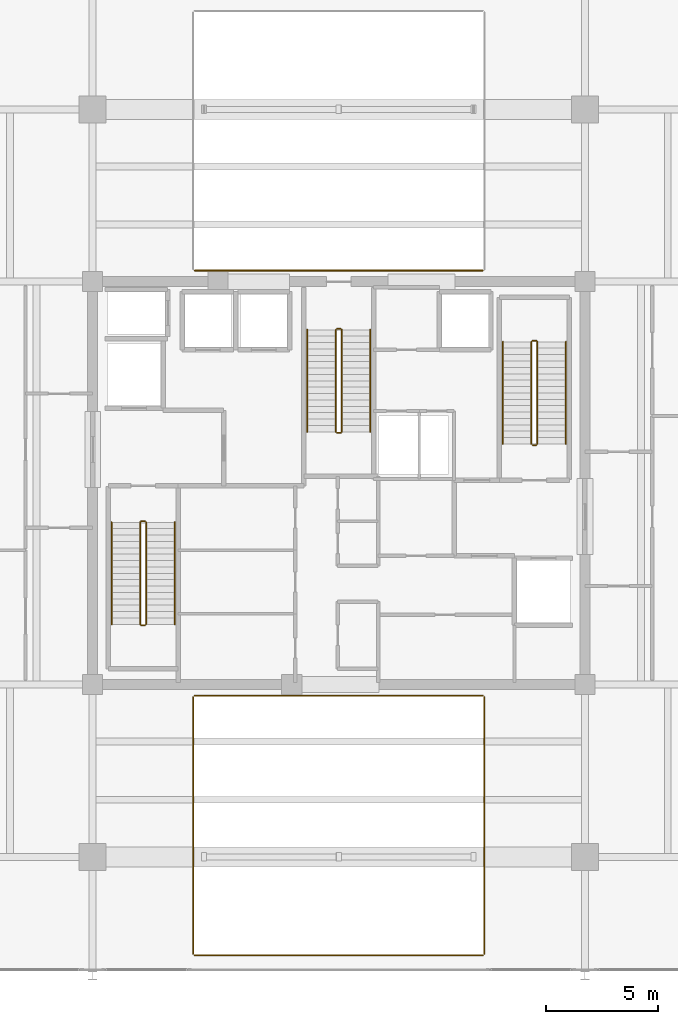
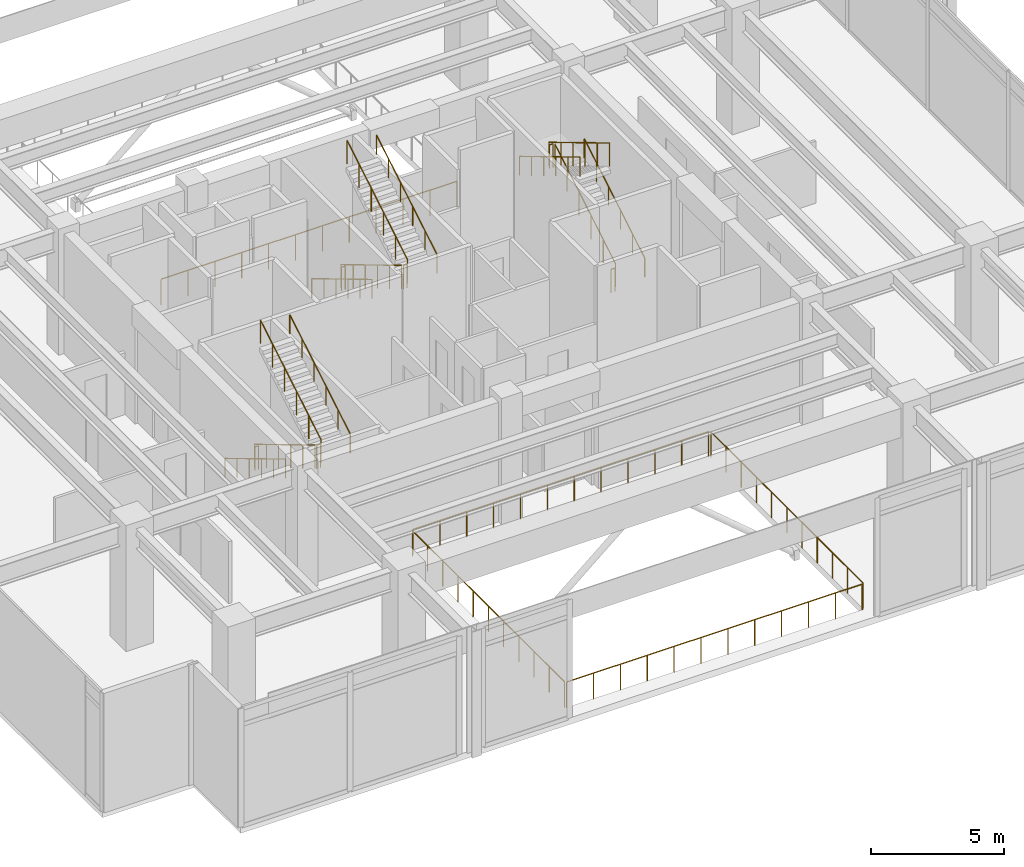
# One storey, part 24 of 25: 23 railings.
"""IFC4 building model written with IfcOpenShell, lengths in metres."""

from ifc_helpers import new_model, si_unit, direction, frame, origin, origin_2d, place, context, subcontext, project, spatial, circle, extrude, material, type_object, element, save


model = new_model("IFC4")

# Units and contexts
model_context = context("Model", 3, precision=1e-05, world=origin(), true_north=direction((0.0, 1.0)))
body_context = subcontext(model_context, "Body", "Model", "MODEL_VIEW")
ifc_project = project(units=[si_unit("LENGTHUNIT", "METRE"), si_unit("AREAUNIT", "SQUARE_METRE"), si_unit("VOLUMEUNIT", "CUBIC_METRE"), si_unit("PLANEANGLEUNIT", "RADIAN"), si_unit("MASSUNIT", "GRAM", prefix="KILO")], contexts=[model_context])

# Site, building, storey
site_placement = place(None, origin())
site = spatial("IfcSite", under=ifc_project, at=site_placement, CompositionType="ELEMENT")
building_placement = place(site_placement, origin())
building = spatial("IfcBuilding", under=site, at=building_placement, Name="Kovane Verandah Tower", CompositionType="ELEMENT")
storey_placement = place(building_placement, frame((0.0, 0.0, 295.199951171875)))
storey = spatial("IfcBuildingStorey", under=building, at=storey_placement, Name="L69", CompositionType="ELEMENT", Elevation=295.199951171875)

# Railings
ifc_material_1 = material(Name="Pale-Champagne Stainless Steel and Glass Perimeter Guard", Category="steel")
railing_type_1 = type_object("IfcRailingType", Name="RL-GDN-1200", PredefinedType="GUARDRAIL", material=ifc_material_1)
for number, where, name in (
    (1, (33.56005859375, 37.0, 0.0), "L69 Wind-Portal N Perimeter Guard S"),
    (2, (33.56005859375, 6.408447265625, 0.0), "L69 Wind-Portal S Perimeter Guard S"),
):
    element("IfcRailing", number, at=place(storey_placement, frame(where)), inside=storey, type_object=railing_type_1, Name=name, PredefinedType="GUARDRAIL", context=body_context, shape_type="SweptSolid", body=[
        extrude(circle(Radius=0.02392578125, at=origin_2d()), frame((0.0, 0.0, 1.17578125), z_axis=(1.0, 0.0, 0.0), x_axis=(0.0, 1.0, 0.0)), (0.0, 0.0, 1.0), 12.8798828125),
        extrude(circle(Radius=0.02099609375, at=origin_2d()), origin(), (0.0, 0.0, 1.0), 1.15185546875),
        extrude(circle(Radius=0.02099609375, at=origin_2d()), frame((1.1708984375, 0.0, 0.0)), (0.0, 0.0, 1.0), 1.15185546875),
        extrude(circle(Radius=0.02099609375, at=origin_2d()), frame((2.341796875, 0.0, 0.0)), (0.0, 0.0, 1.0), 1.15185546875),
        extrude(circle(Radius=0.02099609375, at=origin_2d()), frame((3.5126953125, 0.0, 0.0)), (0.0, 0.0, 1.0), 1.15185546875),
        extrude(circle(Radius=0.02099609375, at=origin_2d()), frame((4.68359375, 0.0, 0.0)), (0.0, 0.0, 1.0), 1.15185546875),
        extrude(circle(Radius=0.02099609375, at=origin_2d()), frame((5.8544921875, 0.0, 0.0)), (0.0, 0.0, 1.0), 1.15185546875),
        extrude(circle(Radius=0.02099609375, at=origin_2d()), frame((7.025390625, 0.0, 0.0)), (0.0, 0.0, 1.0), 1.15185546875),
        extrude(circle(Radius=0.02099609375, at=origin_2d()), frame((8.1962890625, 0.0, 0.0)), (0.0, 0.0, 1.0), 1.15185546875),
        extrude(circle(Radius=0.02099609375, at=origin_2d()), frame((9.3671875, 0.0, 0.0)), (0.0, 0.0, 1.0), 1.15185546875),
        extrude(circle(Radius=0.02099609375, at=origin_2d()), frame((10.5380859375, 0.0, 0.0)), (0.0, 0.0, 1.0), 1.15185546875),
        extrude(circle(Radius=0.02099609375, at=origin_2d()), frame((11.708984375, 0.0, 0.0)), (0.0, 0.0, 1.0), 1.15185546875),
        extrude(circle(Radius=0.02099609375, at=origin_2d()), frame((12.8798828125, 0.0, 0.0)), (0.0, 0.0, 1.0), 1.15185546875),
    ])
railing_1_placement = place(storey_placement, frame((46.5, 6.468505859375, 0.0)))
element("IfcRailing", 3, at=railing_1_placement, inside=storey, type_object=railing_type_1, Name="L69 Wind-Portal S Perimeter Guard E", PredefinedType="GUARDRAIL", context=body_context, shape_type="SweptSolid", body=[
    extrude(circle(Radius=0.02392578125, at=origin_2d()), frame((0.0, 0.0, 1.17578125), z_axis=(0.0, 1.0, 0.0), x_axis=(-1.0, 0.0, 0.0)), (0.0, 0.0, 1.0), 11.471435546875),
    extrude(circle(Radius=0.02099609375, at=origin_2d()), origin(), (0.0, 0.0, 1.0), 1.15185546875),
    extrude(circle(Radius=0.02099609375, at=origin_2d()), frame((0.0, 1.147216796875, 0.0)), (0.0, 0.0, 1.0), 1.15185546875),
    extrude(circle(Radius=0.02099609375, at=origin_2d()), frame((0.0, 2.294189453125, 0.0)), (0.0, 0.0, 1.0), 1.15185546875),
    extrude(circle(Radius=0.02099609375, at=origin_2d()), frame((0.0, 3.44140625, 0.0)), (0.0, 0.0, 1.0), 1.15185546875),
    extrude(circle(Radius=0.02099609375, at=origin_2d()), frame((0.0, 4.588623046875, 0.0)), (0.0, 0.0, 1.0), 1.15185546875),
    extrude(circle(Radius=0.02099609375, at=origin_2d()), frame((0.0, 5.73583984375, 0.0)), (0.0, 0.0, 1.0), 1.15185546875),
    extrude(circle(Radius=0.02099609375, at=origin_2d()), frame((0.0, 6.8828125, 0.0)), (0.0, 0.0, 1.0), 1.15185546875),
    extrude(circle(Radius=0.02099609375, at=origin_2d()), frame((0.0, 8.030029296875, 0.0)), (0.0, 0.0, 1.0), 1.15185546875),
    extrude(circle(Radius=0.02099609375, at=origin_2d()), frame((0.0, 9.17724609375, 0.0)), (0.0, 0.0, 1.0), 1.15185546875),
    extrude(circle(Radius=0.02099609375, at=origin_2d()), frame((0.0, 10.32421875, 0.0)), (0.0, 0.0, 1.0), 1.15185546875),
    extrude(circle(Radius=0.02099609375, at=origin_2d()), frame((0.0, 11.471435546875, 0.0)), (0.0, 0.0, 1.0), 1.15185546875),
])
railing_2_placement = place(storey_placement, frame((46.43994140625, 18.0, 0.0)))
element("IfcRailing", 4, at=railing_2_placement, inside=storey, type_object=railing_type_1, Name="L69 Wind-Portal S Perimeter Guard N", PredefinedType="GUARDRAIL", context=body_context, shape_type="SweptSolid", body=[
    extrude(circle(Radius=0.02392578125, at=origin_2d()), frame((0.0, 0.0, 1.17578125), z_axis=(-1.0, 0.0, 0.0), x_axis=(0.0, -1.0, 0.0)), (0.0, 0.0, 1.0), 12.8798828125),
    extrude(circle(Radius=0.02099609375, at=origin_2d()), origin(), (0.0, 0.0, 1.0), 1.15185546875),
    extrude(circle(Radius=0.02099609375, at=origin_2d()), frame((-1.1708984375, 0.0, 0.0)), (0.0, 0.0, 1.0), 1.15185546875),
    extrude(circle(Radius=0.02099609375, at=origin_2d()), frame((-2.341796875, 0.0, 0.0)), (0.0, 0.0, 1.0), 1.15185546875),
    extrude(circle(Radius=0.02099609375, at=origin_2d()), frame((-3.5126953125, 0.0, 0.0)), (0.0, 0.0, 1.0), 1.15185546875),
    extrude(circle(Radius=0.02099609375, at=origin_2d()), frame((-4.68359375, 0.0, 0.0)), (0.0, 0.0, 1.0), 1.15185546875),
    extrude(circle(Radius=0.02099609375, at=origin_2d()), frame((-5.8544921875, 0.0, 0.0)), (0.0, 0.0, 1.0), 1.15185546875),
    extrude(circle(Radius=0.02099609375, at=origin_2d()), frame((-7.025390625, 0.0, 0.0)), (0.0, 0.0, 1.0), 1.15185546875),
    extrude(circle(Radius=0.02099609375, at=origin_2d()), frame((-8.1962890625, 0.0, 0.0)), (0.0, 0.0, 1.0), 1.15185546875),
    extrude(circle(Radius=0.02099609375, at=origin_2d()), frame((-9.3671875, 0.0, 0.0)), (0.0, 0.0, 1.0), 1.15185546875),
    extrude(circle(Radius=0.02099609375, at=origin_2d()), frame((-10.5380859375, 0.0, 0.0)), (0.0, 0.0, 1.0), 1.15185546875),
    extrude(circle(Radius=0.02099609375, at=origin_2d()), frame((-11.708984375, 0.0, 0.0)), (0.0, 0.0, 1.0), 1.15185546875),
    extrude(circle(Radius=0.02099609375, at=origin_2d()), frame((-12.8798828125, 0.0, 0.0)), (0.0, 0.0, 1.0), 1.15185546875),
])
railing_3_placement = place(storey_placement, frame((33.5, 17.93994140625, 0.0)))
element("IfcRailing", 5, at=railing_3_placement, inside=storey, type_object=railing_type_1, Name="L69 Wind-Portal S Perimeter Guard W", PredefinedType="GUARDRAIL", context=body_context, shape_type="SweptSolid", body=[
    extrude(circle(Radius=0.02392578125, at=origin_2d()), frame((0.0, 0.0, 1.17578125), z_axis=(0.0, -1.0, 0.0), x_axis=(1.0, 0.0, 0.0)), (0.0, 0.0, 1.0), 11.471435546875),
    extrude(circle(Radius=0.02099609375, at=origin_2d()), origin(), (0.0, 0.0, 1.0), 1.15185546875),
    extrude(circle(Radius=0.02099609375, at=origin_2d()), frame((0.0, -1.147216796875, 0.0)), (0.0, 0.0, 1.0), 1.15185546875),
    extrude(circle(Radius=0.02099609375, at=origin_2d()), frame((0.0, -2.294189453125, 0.0)), (0.0, 0.0, 1.0), 1.15185546875),
    extrude(circle(Radius=0.02099609375, at=origin_2d()), frame((0.0, -3.44140625, 0.0)), (0.0, 0.0, 1.0), 1.15185546875),
    extrude(circle(Radius=0.02099609375, at=origin_2d()), frame((0.0, -4.588623046875, 0.0)), (0.0, 0.0, 1.0), 1.15185546875),
    extrude(circle(Radius=0.02099609375, at=origin_2d()), frame((0.0, -5.73583984375, 0.0)), (0.0, 0.0, 1.0), 1.15185546875),
    extrude(circle(Radius=0.02099609375, at=origin_2d()), frame((0.0, -6.8828125, 0.0)), (0.0, 0.0, 1.0), 1.15185546875),
    extrude(circle(Radius=0.02099609375, at=origin_2d()), frame((0.0, -8.030029296875, 0.0)), (0.0, 0.0, 1.0), 1.15185546875),
    extrude(circle(Radius=0.02099609375, at=origin_2d()), frame((0.0, -9.17724609375, 0.0)), (0.0, 0.0, 1.0), 1.15185546875),
    extrude(circle(Radius=0.02099609375, at=origin_2d()), frame((0.0, -10.32421875, 0.0)), (0.0, 0.0, 1.0), 1.15185546875),
    extrude(circle(Radius=0.02099609375, at=origin_2d()), frame((0.0, -11.471435546875, 0.0)), (0.0, 0.0, 1.0), 1.15185546875),
])
ifc_material_2 = material(Name="Brushed Stainless Steel Handrail", Category="steel")
railing_type_2 = type_object("IfcRailingType", Name="RL-HAND-920", PredefinedType="HANDRAIL", material=ifc_material_2)
railing_4_placement = place(storey_placement, frame((29.85009765625, 25.75, 0.170654296875)))
element("IfcRailing", 6, at=railing_4_placement, inside=storey, type_object=railing_type_2, Name="L69 ST-01 stair handrail 1", PredefinedType="HANDRAIL", context=body_context, shape_type="SweptSolid", body=[
    extrude(circle(Radius=0.02392578125, at=origin_2d()), frame((0.0, 0.0, 0.8759765625), z_axis=(0.0, -0.858035600736, 0.513590213954), x_axis=(1.0, 0.0, 0.0)), (0.0, 0.0, 1.0), 5.314453125),
    extrude(circle(Radius=0.02099609375, at=origin_2d()), origin(), (0.0, 0.0, 1.0), 0.851806640625),
    extrude(circle(Radius=0.02099609375, at=origin_2d()), frame((0.0, -0.912109375, 0.5458984375)), (0.0, 0.0, 1.0), 0.851806640625),
    extrude(circle(Radius=0.02099609375, at=origin_2d()), frame((0.0, -1.823974609375, 1.091796875)), (0.0, 0.0, 1.0), 0.851806640625),
    extrude(circle(Radius=0.02099609375, at=origin_2d()), frame((0.0, -2.736083984375, 1.6376953125)), (0.0, 0.0, 1.0), 0.851806640625),
    extrude(circle(Radius=0.02099609375, at=origin_2d()), frame((0.0, -3.64794921875, 2.18359375)), (0.0, 0.0, 1.0), 0.851806640625),
    extrude(circle(Radius=0.02099609375, at=origin_2d()), frame((0.0, -4.56005859375, 2.7294921875)), (0.0, 0.0, 1.0), 0.851806640625),
])
for number, where, name in (
    (7, (32.669921875, 21.18994140625, 3.070556640625), "L69 ST-01 stair handrail 2"),
    (8, (50.14990234375, 29.25, 0.170654296875), "L69 ST-02 stair handrail 1"),
):
    element("IfcRailing", number, at=place(storey_placement, frame(where)), inside=storey, type_object=railing_type_2, Name=name, PredefinedType="HANDRAIL", context=body_context, shape_type="SweptSolid", body=[
        extrude(circle(Radius=0.02392578125, at=origin_2d()), frame((0.0, 0.0, 0.8759765625), z_axis=(0.0, 0.858035600736, 0.513590213954), x_axis=(-1.0, 0.0, 0.0)), (0.0, 0.0, 1.0), 5.314453125),
        extrude(circle(Radius=0.02099609375, at=origin_2d()), origin(), (0.0, 0.0, 1.0), 0.851806640625),
        extrude(circle(Radius=0.02099609375, at=origin_2d()), frame((0.0, 0.912109375, 0.5458984375)), (0.0, 0.0, 1.0), 0.851806640625),
        extrude(circle(Radius=0.02099609375, at=origin_2d()), frame((0.0, 1.823974609375, 1.091796875)), (0.0, 0.0, 1.0), 0.851806640625),
        extrude(circle(Radius=0.02099609375, at=origin_2d()), frame((0.0, 2.736083984375, 1.6376953125)), (0.0, 0.0, 1.0), 0.851806640625),
        extrude(circle(Radius=0.02099609375, at=origin_2d()), frame((0.0, 3.64794921875, 2.18359375)), (0.0, 0.0, 1.0), 0.851806640625),
        extrude(circle(Radius=0.02099609375, at=origin_2d()), frame((0.0, 4.56005859375, 2.7294921875)), (0.0, 0.0, 1.0), 0.851806640625),
    ])
for number, where, name in (
    (9, (47.330078125, 33.81005859375, 3.070556640625), "L69 ST-02 stair handrail 2"),
    (10, (38.590087890625, 34.35009765625, 0.170654296875), "L69 ST-03 stair handrail 1"),
):
    element("IfcRailing", number, at=place(storey_placement, frame(where)), inside=storey, type_object=railing_type_2, Name=name, PredefinedType="HANDRAIL", context=body_context, shape_type="SweptSolid", body=[
        extrude(circle(Radius=0.02392578125, at=origin_2d()), frame((0.0, 0.0, 0.8759765625), z_axis=(0.0, -0.858035600736, 0.513590213954), x_axis=(1.0, 0.0, 0.0)), (0.0, 0.0, 1.0), 5.314453125),
        extrude(circle(Radius=0.02099609375, at=origin_2d()), origin(), (0.0, 0.0, 1.0), 0.851806640625),
        extrude(circle(Radius=0.02099609375, at=origin_2d()), frame((0.0, -0.912109375, 0.5458984375)), (0.0, 0.0, 1.0), 0.851806640625),
        extrude(circle(Radius=0.02099609375, at=origin_2d()), frame((0.0, -1.823974609375, 1.091796875)), (0.0, 0.0, 1.0), 0.851806640625),
        extrude(circle(Radius=0.02099609375, at=origin_2d()), frame((0.0, -2.736083984375, 1.6376953125)), (0.0, 0.0, 1.0), 0.851806640625),
        extrude(circle(Radius=0.02099609375, at=origin_2d()), frame((0.0, -3.64794921875, 2.18359375)), (0.0, 0.0, 1.0), 0.851806640625),
        extrude(circle(Radius=0.02099609375, at=origin_2d()), frame((0.0, -4.56005859375, 2.7294921875)), (0.0, 0.0, 1.0), 0.851806640625),
    ])
railing_5_placement = place(storey_placement, frame((41.409912109375, 29.7900390625, 3.070556640625)))
element("IfcRailing", 11, at=railing_5_placement, inside=storey, type_object=railing_type_2, Name="L69 ST-03 stair handrail 2", PredefinedType="HANDRAIL", context=body_context, shape_type="SweptSolid", body=[
    extrude(circle(Radius=0.02392578125, at=origin_2d()), frame((0.0, 0.0, 0.8759765625), z_axis=(0.0, 0.858035600736, 0.513590213954), x_axis=(-1.0, 0.0, 0.0)), (0.0, 0.0, 1.0), 5.314453125),
    extrude(circle(Radius=0.02099609375, at=origin_2d()), origin(), (0.0, 0.0, 1.0), 0.851806640625),
    extrude(circle(Radius=0.02099609375, at=origin_2d()), frame((0.0, 0.912109375, 0.5458984375)), (0.0, 0.0, 1.0), 0.851806640625),
    extrude(circle(Radius=0.02099609375, at=origin_2d()), frame((0.0, 1.823974609375, 1.091796875)), (0.0, 0.0, 1.0), 0.851806640625),
    extrude(circle(Radius=0.02099609375, at=origin_2d()), frame((0.0, 2.736083984375, 1.6376953125)), (0.0, 0.0, 1.0), 0.851806640625),
    extrude(circle(Radius=0.02099609375, at=origin_2d()), frame((0.0, 3.64794921875, 2.18359375)), (0.0, 0.0, 1.0), 0.851806640625),
    extrude(circle(Radius=0.02099609375, at=origin_2d()), frame((0.0, 4.56005859375, 2.7294921875)), (0.0, 0.0, 1.0), 0.851806640625),
])
ifc_material_3 = material(Name="Painted Steel Stairwell Guardrail", Category="steel")
railing_type_3 = type_object("IfcRailingType", Name="RL-STGUARD-1120", PredefinedType="GUARDRAIL", material=ifc_material_3)
railing_6_placement = place(storey_placement, frame((31.1298828125, 25.75, 0.170654296875)))
element("IfcRailing", 12, at=railing_6_placement, inside=storey, type_object=railing_type_3, Name="L69 ST-01 stair guard 1", PredefinedType="GUARDRAIL", context=body_context, shape_type="SweptSolid", body=[
    extrude(circle(Radius=0.02392578125, at=origin_2d()), frame((0.0, 0.0, 1.076171875), z_axis=(0.0, -0.858035600736, 0.513590213954), x_axis=(1.0, 0.0, 0.0)), (0.0, 0.0, 1.0), 5.314453125),
    extrude(circle(Radius=0.02099609375, at=origin_2d()), origin(), (0.0, 0.0, 1.0), 1.052001953125),
    extrude(circle(Radius=0.02099609375, at=origin_2d()), frame((0.0, -0.912109375, 0.5458984375)), (0.0, 0.0, 1.0), 1.052001953125),
    extrude(circle(Radius=0.02099609375, at=origin_2d()), frame((0.0, -1.823974609375, 1.091796875)), (0.0, 0.0, 1.0), 1.052001953125),
    extrude(circle(Radius=0.02099609375, at=origin_2d()), frame((0.0, -2.736083984375, 1.6376953125)), (0.0, 0.0, 1.0), 1.052001953125),
    extrude(circle(Radius=0.02099609375, at=origin_2d()), frame((0.0, -3.64794921875, 2.18359375)), (0.0, 0.0, 1.0), 1.052001953125),
    extrude(circle(Radius=0.02099609375, at=origin_2d()), frame((0.0, -4.56005859375, 2.7294921875)), (0.0, 0.0, 1.0), 1.052001953125),
])
railing_7_placement = place(storey_placement, frame((31.179931640625, 21.139892578125, 2.900146484375)))
element("IfcRailing", 13, at=railing_7_placement, inside=storey, type_object=railing_type_3, Name="L69 ST-01 stair guard 2", PredefinedType="GUARDRAIL", context=body_context, shape_type="SweptSolid", body=[
    extrude(circle(Radius=0.02392578125, at=origin_2d()), frame((0.0, 0.0, 1.076171875), z_axis=(1.0, 0.0, 0.0), x_axis=(0.0, 1.0, 0.0)), (0.0, 0.0, 1.0), 0.16015625),
    extrude(circle(Radius=0.02099609375, at=origin_2d()), origin(), (0.0, 0.0, 1.0), 1.052001953125),
    extrude(circle(Radius=0.02099609375, at=origin_2d()), frame((0.16015625, 0.0, 0.0)), (0.0, 0.0, 1.0), 1.052001953125),
])
railing_8_placement = place(storey_placement, frame((31.389892578125, 21.18994140625, 3.070556640625)))
element("IfcRailing", 14, at=railing_8_placement, inside=storey, type_object=railing_type_3, Name="L69 ST-01 stair guard 3", PredefinedType="GUARDRAIL", context=body_context, shape_type="SweptSolid", body=[
    extrude(circle(Radius=0.02392578125, at=origin_2d()), frame((0.0, 0.0, 1.076171875), z_axis=(0.0, 0.858035600736, 0.513590213954), x_axis=(-1.0, 0.0, 0.0)), (0.0, 0.0, 1.0), 5.314453125),
    extrude(circle(Radius=0.02099609375, at=origin_2d()), origin(), (0.0, 0.0, 1.0), 1.052001953125),
    extrude(circle(Radius=0.02099609375, at=origin_2d()), frame((0.0, 0.912109375, 0.5458984375)), (0.0, 0.0, 1.0), 1.052001953125),
    extrude(circle(Radius=0.02099609375, at=origin_2d()), frame((0.0, 1.823974609375, 1.091796875)), (0.0, 0.0, 1.0), 1.052001953125),
    extrude(circle(Radius=0.02099609375, at=origin_2d()), frame((0.0, 2.736083984375, 1.6376953125)), (0.0, 0.0, 1.0), 1.052001953125),
    extrude(circle(Radius=0.02099609375, at=origin_2d()), frame((0.0, 3.64794921875, 2.18359375)), (0.0, 0.0, 1.0), 1.052001953125),
    extrude(circle(Radius=0.02099609375, at=origin_2d()), frame((0.0, 4.56005859375, 2.7294921875)), (0.0, 0.0, 1.0), 1.052001953125),
])
railing_9_placement = place(storey_placement, frame((31.179931640625, 25.800048828125, 0.0)))
element("IfcRailing", 15, at=railing_9_placement, inside=storey, type_object=railing_type_3, Name="L69 ST-01 stair guard 4", PredefinedType="GUARDRAIL", context=body_context, shape_type="SweptSolid", body=[
    extrude(circle(Radius=0.02392578125, at=origin_2d()), frame((0.0, 0.0, 1.076171875), z_axis=(1.0, 0.0, 0.0), x_axis=(0.0, 1.0, 0.0)), (0.0, 0.0, 1.0), 0.16015625),
    extrude(circle(Radius=0.02099609375, at=origin_2d()), origin(), (0.0, 0.0, 1.0), 1.052001953125),
    extrude(circle(Radius=0.02099609375, at=origin_2d()), frame((0.16015625, 0.0, 0.0)), (0.0, 0.0, 1.0), 1.052001953125),
])
railing_10_placement = place(storey_placement, frame((48.8701171875, 29.25, 0.170654296875)))
element("IfcRailing", 16, at=railing_10_placement, inside=storey, type_object=railing_type_3, Name="L69 ST-02 stair guard 1", PredefinedType="GUARDRAIL", context=body_context, shape_type="SweptSolid", body=[
    extrude(circle(Radius=0.02392578125, at=origin_2d()), frame((0.0, 0.0, 1.076171875), z_axis=(0.0, 0.858035600736, 0.513590213954), x_axis=(-1.0, 0.0, 0.0)), (0.0, 0.0, 1.0), 5.314453125),
    extrude(circle(Radius=0.02099609375, at=origin_2d()), origin(), (0.0, 0.0, 1.0), 1.052001953125),
    extrude(circle(Radius=0.02099609375, at=origin_2d()), frame((0.0, 0.912109375, 0.5458984375)), (0.0, 0.0, 1.0), 1.052001953125),
    extrude(circle(Radius=0.02099609375, at=origin_2d()), frame((0.0, 1.823974609375, 1.091796875)), (0.0, 0.0, 1.0), 1.052001953125),
    extrude(circle(Radius=0.02099609375, at=origin_2d()), frame((0.0, 2.736083984375, 1.6376953125)), (0.0, 0.0, 1.0), 1.052001953125),
    extrude(circle(Radius=0.02099609375, at=origin_2d()), frame((0.0, 3.64794921875, 2.18359375)), (0.0, 0.0, 1.0), 1.052001953125),
    extrude(circle(Radius=0.02099609375, at=origin_2d()), frame((0.0, 4.56005859375, 2.7294921875)), (0.0, 0.0, 1.0), 1.052001953125),
])
railing_11_placement = place(storey_placement, frame((48.820068359375, 33.860107421875, 2.900146484375)))
element("IfcRailing", 17, at=railing_11_placement, inside=storey, type_object=railing_type_3, Name="L69 ST-02 stair guard 2", PredefinedType="GUARDRAIL", context=body_context, shape_type="SweptSolid", body=[
    extrude(circle(Radius=0.02392578125, at=origin_2d()), frame((0.0, 0.0, 1.076171875), z_axis=(-1.0, 0.0, 0.0), x_axis=(0.0, -1.0, 0.0)), (0.0, 0.0, 1.0), 0.16015625),
    extrude(circle(Radius=0.02099609375, at=origin_2d()), origin(), (0.0, 0.0, 1.0), 1.052001953125),
    extrude(circle(Radius=0.02099609375, at=origin_2d()), frame((-0.16015625, 0.0, 0.0)), (0.0, 0.0, 1.0), 1.052001953125),
])
railing_12_placement = place(storey_placement, frame((48.610107421875, 33.81005859375, 3.070556640625)))
element("IfcRailing", 18, at=railing_12_placement, inside=storey, type_object=railing_type_3, Name="L69 ST-02 stair guard 3", PredefinedType="GUARDRAIL", context=body_context, shape_type="SweptSolid", body=[
    extrude(circle(Radius=0.02392578125, at=origin_2d()), frame((0.0, 0.0, 1.076171875), z_axis=(0.0, -0.858035600736, 0.513590213954), x_axis=(1.0, 0.0, 0.0)), (0.0, 0.0, 1.0), 5.314453125),
    extrude(circle(Radius=0.02099609375, at=origin_2d()), origin(), (0.0, 0.0, 1.0), 1.052001953125),
    extrude(circle(Radius=0.02099609375, at=origin_2d()), frame((0.0, -0.912109375, 0.5458984375)), (0.0, 0.0, 1.0), 1.052001953125),
    extrude(circle(Radius=0.02099609375, at=origin_2d()), frame((0.0, -1.823974609375, 1.091796875)), (0.0, 0.0, 1.0), 1.052001953125),
    extrude(circle(Radius=0.02099609375, at=origin_2d()), frame((0.0, -2.736083984375, 1.6376953125)), (0.0, 0.0, 1.0), 1.052001953125),
    extrude(circle(Radius=0.02099609375, at=origin_2d()), frame((0.0, -3.64794921875, 2.18359375)), (0.0, 0.0, 1.0), 1.052001953125),
    extrude(circle(Radius=0.02099609375, at=origin_2d()), frame((0.0, -4.56005859375, 2.7294921875)), (0.0, 0.0, 1.0), 1.052001953125),
])
railing_13_placement = place(storey_placement, frame((48.820068359375, 29.199951171875, 0.0)))
element("IfcRailing", 19, at=railing_13_placement, inside=storey, type_object=railing_type_3, Name="L69 ST-02 stair guard 4", PredefinedType="GUARDRAIL", context=body_context, shape_type="SweptSolid", body=[
    extrude(circle(Radius=0.02392578125, at=origin_2d()), frame((0.0, 0.0, 1.076171875), z_axis=(-1.0, 0.0, 0.0), x_axis=(0.0, -1.0, 0.0)), (0.0, 0.0, 1.0), 0.16015625),
    extrude(circle(Radius=0.02099609375, at=origin_2d()), origin(), (0.0, 0.0, 1.0), 1.052001953125),
    extrude(circle(Radius=0.02099609375, at=origin_2d()), frame((-0.16015625, 0.0, 0.0)), (0.0, 0.0, 1.0), 1.052001953125),
])
railing_14_placement = place(storey_placement, frame((39.8701171875, 34.35009765625, 0.170654296875)))
element("IfcRailing", 20, at=railing_14_placement, inside=storey, type_object=railing_type_3, Name="L69 ST-03 stair guard 1", PredefinedType="GUARDRAIL", context=body_context, shape_type="SweptSolid", body=[
    extrude(circle(Radius=0.02392578125, at=origin_2d()), frame((0.0, 0.0, 1.076171875), z_axis=(0.0, -0.858035600736, 0.513590213954), x_axis=(1.0, 0.0, 0.0)), (0.0, 0.0, 1.0), 5.314453125),
    extrude(circle(Radius=0.02099609375, at=origin_2d()), origin(), (0.0, 0.0, 1.0), 1.052001953125),
    extrude(circle(Radius=0.02099609375, at=origin_2d()), frame((0.0, -0.912109375, 0.5458984375)), (0.0, 0.0, 1.0), 1.052001953125),
    extrude(circle(Radius=0.02099609375, at=origin_2d()), frame((0.0, -1.823974609375, 1.091796875)), (0.0, 0.0, 1.0), 1.052001953125),
    extrude(circle(Radius=0.02099609375, at=origin_2d()), frame((0.0, -2.736083984375, 1.6376953125)), (0.0, 0.0, 1.0), 1.052001953125),
    extrude(circle(Radius=0.02099609375, at=origin_2d()), frame((0.0, -3.64794921875, 2.18359375)), (0.0, 0.0, 1.0), 1.052001953125),
    extrude(circle(Radius=0.02099609375, at=origin_2d()), frame((0.0, -4.56005859375, 2.7294921875)), (0.0, 0.0, 1.0), 1.052001953125),
])
railing_15_placement = place(storey_placement, frame((39.919921875, 29.739990234375, 2.900146484375)))
element("IfcRailing", 21, at=railing_15_placement, inside=storey, type_object=railing_type_3, Name="L69 ST-03 stair guard 2", PredefinedType="GUARDRAIL", context=body_context, shape_type="SweptSolid", body=[
    extrude(circle(Radius=0.02392578125, at=origin_2d()), frame((0.0, 0.0, 1.076171875), z_axis=(1.0, 0.0, 0.0), x_axis=(0.0, 1.0, 0.0)), (0.0, 0.0, 1.0), 0.16015625),
    extrude(circle(Radius=0.02099609375, at=origin_2d()), origin(), (0.0, 0.0, 1.0), 1.052001953125),
    extrude(circle(Radius=0.02099609375, at=origin_2d()), frame((0.16015625, 0.0, 0.0)), (0.0, 0.0, 1.0), 1.052001953125),
])
railing_16_placement = place(storey_placement, frame((40.1298828125, 29.7900390625, 3.070556640625)))
element("IfcRailing", 22, at=railing_16_placement, inside=storey, type_object=railing_type_3, Name="L69 ST-03 stair guard 3", PredefinedType="GUARDRAIL", context=body_context, shape_type="SweptSolid", body=[
    extrude(circle(Radius=0.02392578125, at=origin_2d()), frame((0.0, 0.0, 1.076171875), z_axis=(0.0, 0.858035600736, 0.513590213954), x_axis=(-1.0, 0.0, 0.0)), (0.0, 0.0, 1.0), 5.314453125),
    extrude(circle(Radius=0.02099609375, at=origin_2d()), origin(), (0.0, 0.0, 1.0), 1.052001953125),
    extrude(circle(Radius=0.02099609375, at=origin_2d()), frame((0.0, 0.912109375, 0.5458984375)), (0.0, 0.0, 1.0), 1.052001953125),
    extrude(circle(Radius=0.02099609375, at=origin_2d()), frame((0.0, 1.823974609375, 1.091796875)), (0.0, 0.0, 1.0), 1.052001953125),
    extrude(circle(Radius=0.02099609375, at=origin_2d()), frame((0.0, 2.736083984375, 1.6376953125)), (0.0, 0.0, 1.0), 1.052001953125),
    extrude(circle(Radius=0.02099609375, at=origin_2d()), frame((0.0, 3.64794921875, 2.18359375)), (0.0, 0.0, 1.0), 1.052001953125),
    extrude(circle(Radius=0.02099609375, at=origin_2d()), frame((0.0, 4.56005859375, 2.7294921875)), (0.0, 0.0, 1.0), 1.052001953125),
])
railing_17_placement = place(storey_placement, frame((39.919921875, 34.39990234375, 0.0)))
element("IfcRailing", 23, at=railing_17_placement, inside=storey, type_object=railing_type_3, Name="L69 ST-03 stair guard 4", PredefinedType="GUARDRAIL", context=body_context, shape_type="SweptSolid", body=[
    extrude(circle(Radius=0.02392578125, at=origin_2d()), frame((0.0, 0.0, 1.076171875), z_axis=(1.0, 0.0, 0.0), x_axis=(0.0, 1.0, 0.0)), (0.0, 0.0, 1.0), 0.16015625),
    extrude(circle(Radius=0.02099609375, at=origin_2d()), origin(), (0.0, 0.0, 1.0), 1.052001953125),
    extrude(circle(Radius=0.02099609375, at=origin_2d()), frame((0.16015625, 0.0, 0.0)), (0.0, 0.0, 1.0), 1.052001953125),
])

save(model, "model.ifc")
